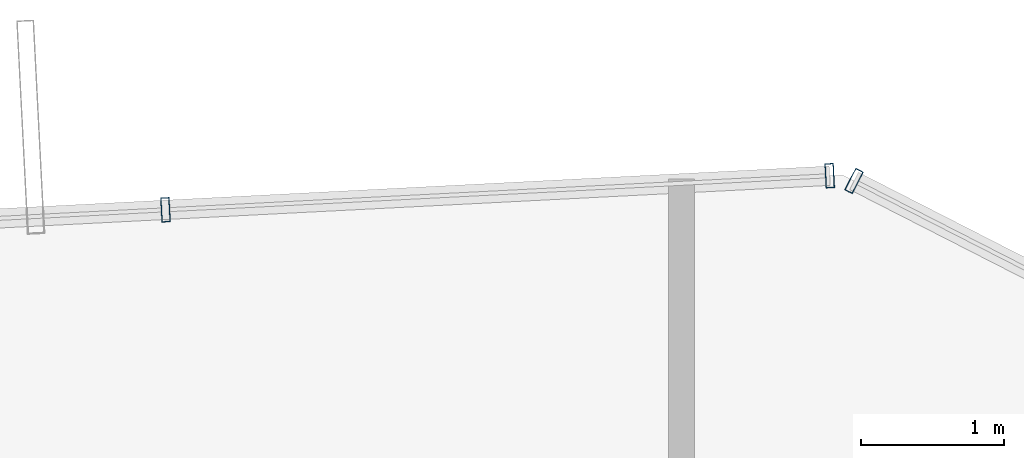
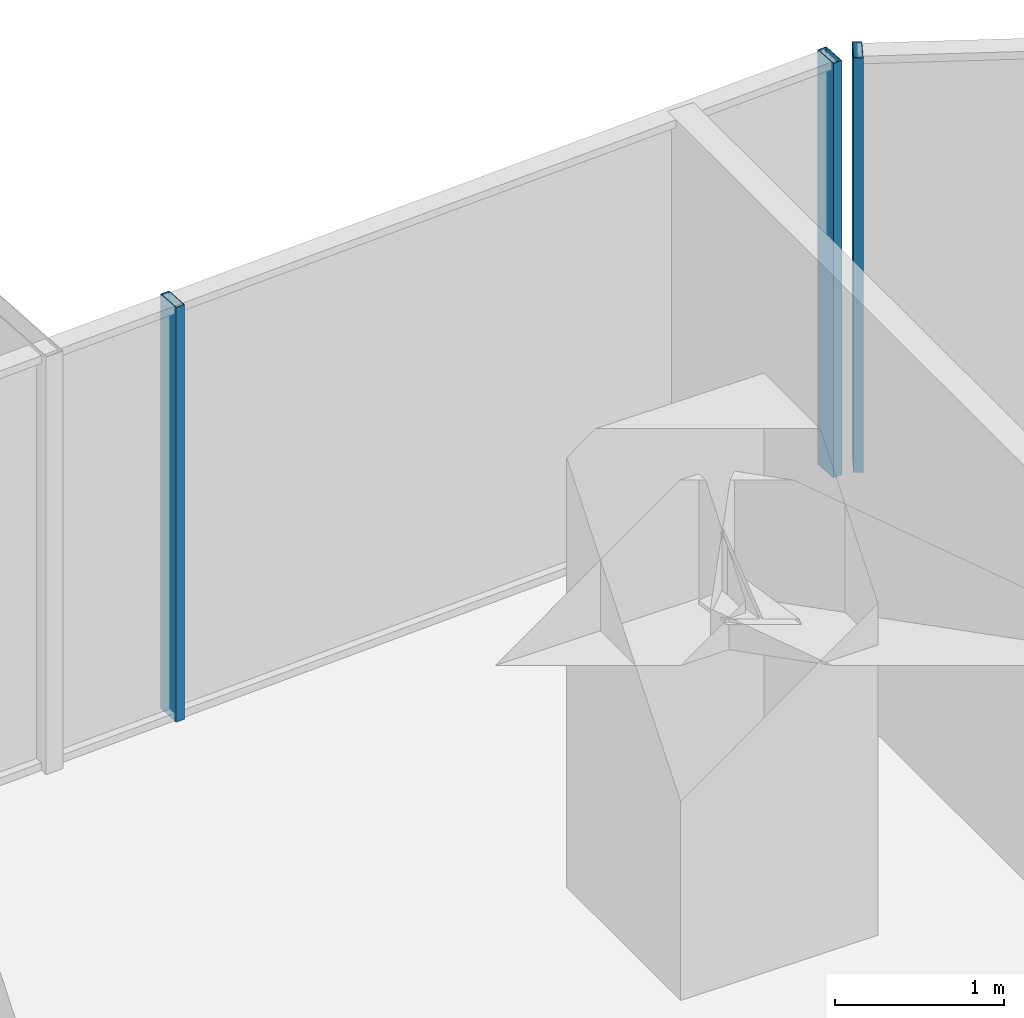
# One storey, part 27 of 37: 3 members, 2 elements without a shape of their own.
"""IFC4 building model written with IfcOpenShell, lengths in metres."""

from ifc_helpers import new_model, si_unit, direction, frame, origin, origin_2d, place, context, subcontext, project, spatial, hollow_rectangle, extrude, source, transform, mapped, material, layer, layer_set, material_profile, profile_set, type_object, element, aggregate, save


model = new_model("IFC4")

# Units and contexts
model_context = context("Model", 3, precision=1e-05, world=origin(), true_north=direction((0.0, 1.0)))
body_context = subcontext(model_context, "Body", "Model", "MODEL_VIEW")
ifc_project = project(units=[si_unit("LENGTHUNIT", "METRE"), si_unit("AREAUNIT", "SQUARE_METRE"), si_unit("VOLUMEUNIT", "CUBIC_METRE"), si_unit("PLANEANGLEUNIT", "RADIAN"), si_unit("MASSUNIT", "GRAM", prefix="KILO")], contexts=[model_context])

# Site, building, storey
site_placement = place(None, origin())
site = spatial("IfcSite", under=ifc_project, at=site_placement, CompositionType="ELEMENT")
building_placement = place(site_placement, origin())
building = spatial("IfcBuilding", under=site, at=building_placement, Name="Veraguas Prism Commons", CompositionType="ELEMENT")
storey_placement = place(building_placement, frame((0.0, 0.0, 33.800048828125)))
storey = spatial("IfcBuildingStorey", under=building, at=storey_placement, Name="L08", CompositionType="ELEMENT", Elevation=33.800048828125)

# Curtain wall, members
ifc_material = material(Name="Anodised aluminium EN AW-6063 T6", Category="aluminium")
ifc_layer = layer(ifc_material, 0.169921875, Name="Unitised Flush Curtain Wall Zone 1", Category="aluminium")
ifc_layer_set = layer_set([ifc_layer], Name="Anodised aluminium EN AW-6063 T6")
curtain_wall_type = type_object("IfcCurtainWallType", Name="Unitised Flush Curtain Wall Zone 1", PredefinedType="NOTDEFINED", material=ifc_layer_set)
curtain_wall_1_placement = place(storey_placement, origin())
curtain_wall_1 = element("IfcCurtainWall", 1, at=curtain_wall_1_placement, inside=storey, type_object=curtain_wall_type, Name="Tower Facade Curtain Wall L08-F2", PredefinedType="NOTDEFINED")
ifc_material_profile = material_profile(ifc_material, hollow_rectangle(XDim=0.06005859375, YDim=0.169921875, WallThickness=0.00390625, at=origin_2d()), Name="AL60X170X4")
ifc_profile_set = profile_set([ifc_material_profile], Name="Anodised aluminium EN AW-6063 T6")
member_type = type_object("IfcMemberType", Name="Curtain Wall Mullion Lower AL 60x170x4", PredefinedType="MULLION", material=ifc_profile_set)
shared_shape = source(origin(), body_context, "Body", "SweptSolid", [
    extrude(hollow_rectangle(XDim=0.06005859375, YDim=0.169921875, WallThickness=0.00390625, at=origin_2d()), origin(), (0.0, 0.0, 1.0), 3.0),
])
member_1_placement = place(storey_placement, frame((32.233642578125, 45.23486328125, 0.0), z_axis=(0.0, 0.0, 1.0), x_axis=(-0.99868379327, -0.051290165334, 0.0)))
member_1 = element("IfcMember", 2, at=member_1_placement, type_object=member_type, Name="CW-Z1 Mullion 1", PredefinedType="MULLION", context=body_context, shape_type="MappedRepresentation", body=[
    mapped(shared_shape, transform((0.0, 0.0, 0.0), scale=1.0)),
])
member_2_placement = place(storey_placement, frame((27.598876953125, 44.996826171875, 0.0), z_axis=(0.0, 0.0, 1.0), x_axis=(-0.99868379327, -0.051290165334, 0.0)))
member_2 = element("IfcMember", 3, at=member_2_placement, type_object=member_type, Name="CW-Z1 Mullion 2", PredefinedType="MULLION", context=body_context, shape_type="MappedRepresentation", body=[
    mapped(shared_shape, transform((0.0, 0.0, 0.0), scale=1.0)),
])
aggregate(curtain_wall_1, [member_1, member_2])

# Curtain wall, member
curtain_wall_2_placement = place(storey_placement, origin())
curtain_wall_2 = element("IfcCurtainWall", 4, at=curtain_wall_2_placement, inside=storey, type_object=curtain_wall_type, Name="Chamfer Curtain Wall L08-C2", PredefinedType="NOTDEFINED")
member_3_placement = place(storey_placement, frame((32.403564453125, 45.198486328125, 0.0), z_axis=(0.0, 0.0, 1.0), x_axis=(-0.890530617987, 0.454923310491, 0.0)))
member_3 = element("IfcMember", 5, at=member_3_placement, type_object=member_type, Name="CW-Z1 Mullion 2", PredefinedType="MULLION", context=body_context, shape_type="MappedRepresentation", body=[
    mapped(shared_shape, transform((0.0, 0.0, 0.0), scale=1.0)),
])
aggregate(curtain_wall_2, [member_3])

save(model, "model.ifc")
